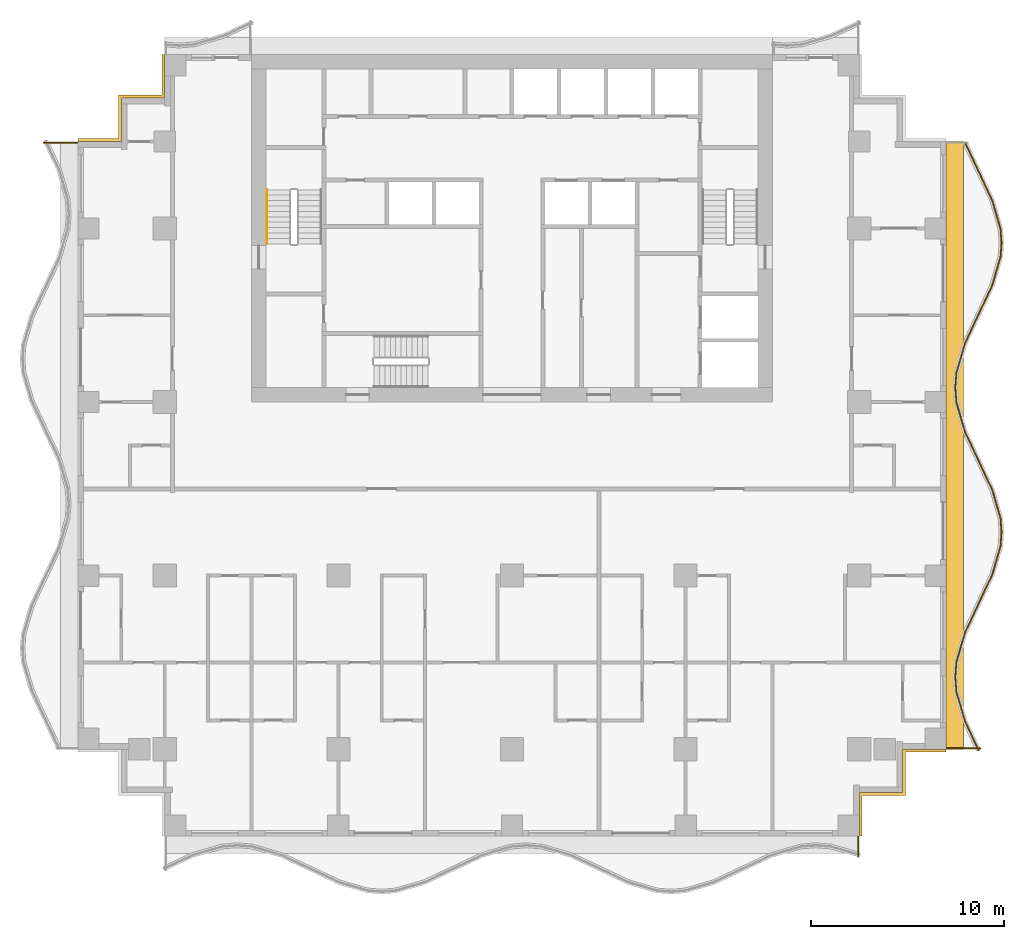
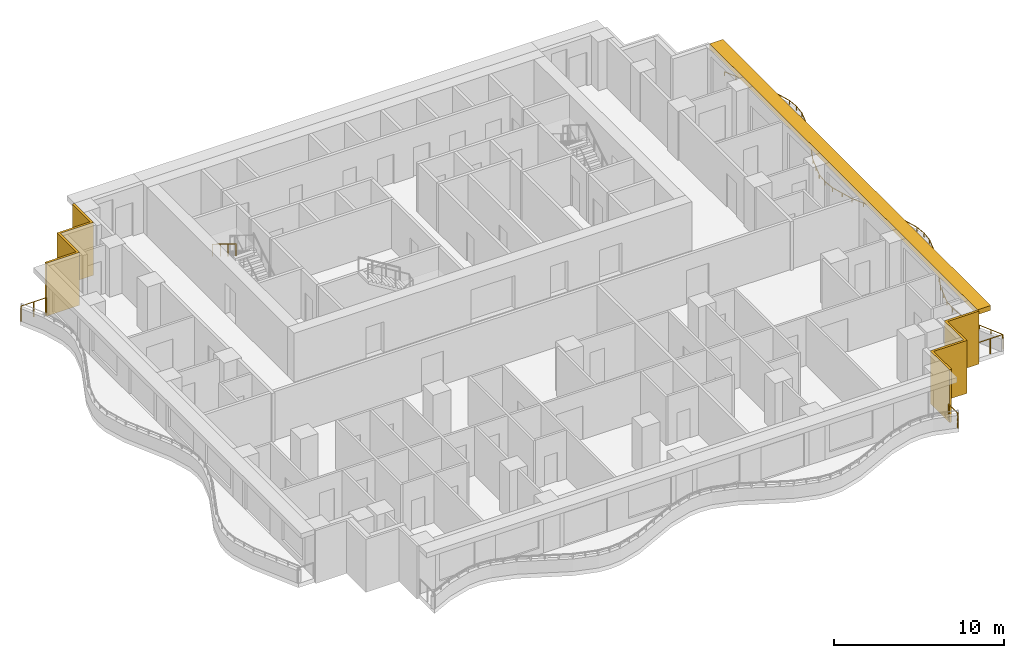
# One storey, part 9 of 10: 5 railings, 3 shading devices.
"""IFC4 building model written with IfcOpenShell, lengths in metres."""

from ifc_helpers import new_model, si_unit, direction, frame, origin, origin_2d, place, context, subcontext, project, spatial, polyline, rectangle, circle, outline, extrude, material, layer, layer_set, type_object, element, save


model = new_model("IFC4")

# Units and contexts
model_context = context("Model", 3, precision=1e-05, world=origin(), true_north=direction((0.0, 1.0)))
body_context = subcontext(model_context, "Body", "Model", "MODEL_VIEW")
ifc_project = project(units=[si_unit("LENGTHUNIT", "METRE"), si_unit("AREAUNIT", "SQUARE_METRE"), si_unit("VOLUMEUNIT", "CUBIC_METRE"), si_unit("PLANEANGLEUNIT", "RADIAN"), si_unit("MASSUNIT", "GRAM", prefix="KILO")], contexts=[model_context])

# Site, building, storey
site_placement = place(None, origin())
site = spatial("IfcSite", under=ifc_project, at=site_placement, CompositionType="ELEMENT")
building_placement = place(site_placement, origin())
building = spatial("IfcBuilding", under=site, at=building_placement, Name="Orbiselva Terraces", CompositionType="ELEMENT")
storey_placement = place(building_placement, frame((0.0, 0.0, 159.2)))
storey = spatial("IfcBuildingStorey", under=building, at=storey_placement, Name="L40", CompositionType="ELEMENT", Elevation=159.2)

# Railings
ifc_material_1 = material(Name="Stainless steel", Category="steel")
railing_type_1 = type_object("IfcRailingType", Name="CORE-HANDRAIL-900", PredefinedType="HANDRAIL", material=ifc_material_1)
railing_1_placement = place(storey_placement, frame((-12.7, 15.5, 2.072727)))
element("IfcRailing", 1, at=railing_1_placement, inside=storey, type_object=railing_type_1, Name="L40 S1 stair handrail 2", PredefinedType="HANDRAIL", context=body_context, shape_type="SweptSolid", body=[
    extrude(circle(Radius=0.024, at=origin_2d()), frame((0.0, 0.0, 0.876), z_axis=(0.0, -0.851088519012, 0.52502222125), x_axis=(1.0, 0.0, 0.0)), (0.0, 0.0, 1.0), 3.289905),
    extrude(circle(Radius=0.021, at=origin_2d()), origin(), (0.0, 0.0, 1.0), 0.852),
    extrude(circle(Radius=0.021, at=origin_2d()), frame((0.0, -0.933333, 0.575758)), (0.0, 0.0, 1.0), 0.852),
    extrude(circle(Radius=0.021, at=origin_2d()), frame((0.0, -1.866667, 1.151515)), (0.0, 0.0, 1.0), 0.852),
    extrude(circle(Radius=0.021, at=origin_2d()), frame((0.0, -2.8, 1.727273)), (0.0, 0.0, 1.0), 0.852),
])
ifc_material_2 = material(Name="Bonded two-ply safety glass balustrade, stainless steel posts", Category="steel")
railing_type_2 = type_object("IfcRailingType", Name="ENV-BALUSTRADE-1200", PredefinedType="BALUSTRADE", material=ifc_material_2)
railing_2_placement = place(storey_placement, frame((24.186882, -13.553191, 0.9)))
element("IfcRailing", 2, at=railing_2_placement, inside=storey, type_object=railing_type_2, Name="Balcony balustrade L40 E", PredefinedType="BALUSTRADE", context=body_context, shape_type="SweptSolid", body=[
    extrude(outline(polyline([(0.028868, 0.0), (0.014434, 0.025), (-0.014434, 0.025), (-0.028868, 0.0), (-0.014434, -0.025), (0.014434, -0.025), (0.028868, 0.0)])), frame((0.0, 0.0, 0.275), z_axis=(-0.425530342069, 0.904944157382, 0.0), x_axis=(-0.904944157382, -0.425530342069, 0.0)), (0.0, 0.0, 1.0), 1.667376),
    extrude(outline(polyline([(0.028868, 0.0), (0.014434, 0.025), (-0.014434, 0.025), (-0.028868, 0.0), (-0.014434, -0.025), (0.014434, -0.025), (0.028868, 0.0)])), frame((-0.709519, 1.508882, 0.275), z_axis=(-0.279070928786, 0.960270491427, 0.0), x_axis=(-0.960270491427, -0.279070928786, 0.0)), (0.0, 0.0, 1.0), 1.584712),
    extrude(outline(polyline([(0.028868, 0.0), (0.014434, 0.025), (-0.014434, 0.025), (-0.028868, 0.0), (-0.014434, -0.025), (0.014434, -0.025), (0.028868, 0.0)])), frame((-1.151766, 3.030634, 0.275), z_axis=(-0.078071061106, 0.996947796737, 0.0), x_axis=(-0.996947796737, -0.078071061106, 0.0)), (0.0, 0.0, 1.0), 0.774922),
    extrude(outline(polyline([(0.028868, 0.0), (0.014434, 0.025), (-0.014434, 0.025), (-0.028868, 0.0), (-0.014434, -0.025), (0.014434, -0.025), (0.028868, 0.0)])), frame((-1.212265, 3.803191, 0.275), z_axis=(0.078071061106, 0.996947796737, 0.0), x_axis=(-0.996947796737, 0.078071061106, 0.0)), (0.0, 0.0, 1.0), 0.774922),
    extrude(outline(polyline([(0.028868, 0.0), (0.014434, 0.025), (-0.014434, 0.025), (-0.028868, 0.0), (-0.014434, -0.025), (0.014434, -0.025), (0.028868, 0.0)])), frame((-1.151766, 4.575748, 0.275), z_axis=(0.279070928786, 0.960270491427, 0.0), x_axis=(-0.960270491427, 0.279070928786, 0.0)), (0.0, 0.0, 1.0), 1.584712),
    extrude(outline(polyline([(0.028868, 0.0), (0.014434, 0.025), (-0.014434, 0.025), (-0.028868, 0.0), (-0.014434, -0.025), (0.014434, -0.025), (0.028868, 0.0)])), frame((-0.709519, 6.0975, 0.275), z_axis=(0.425530342069, 0.904944157382, 0.0), x_axis=(-0.904944157382, 0.425530342069, 0.0)), (0.0, 0.0, 1.0), 1.667376),
    extrude(outline(polyline([(0.028868, 0.0), (0.014434, 0.025), (-0.014434, 0.025), (-0.028868, 0.0), (-0.014434, -0.025), (0.014434, -0.025), (0.028868, 0.0)])), frame((0.0, 7.606382, 0.275), z_axis=(0.425529912322, 0.904944359461, 0.0), x_axis=(-0.904944359461, 0.425529912322, 0.0)), (0.0, 0.0, 1.0), 1.647746),
    extrude(outline(polyline([(0.028868, 0.0), (0.014434, 0.025), (-0.014434, 0.025), (-0.028868, 0.0), (-0.014434, -0.025), (0.014434, -0.025), (0.028868, 0.0)])), frame((0.701165, 9.0975, 0.275), z_axis=(0.279071528957, 0.960270317007, 0.0), x_axis=(-0.960270317007, 0.279071528957, 0.0)), (0.0, 0.0, 1.0), 1.539408),
    extrude(outline(polyline([(0.028868, 0.0), (0.014434, 0.025), (-0.014434, 0.025), (-0.028868, 0.0), (-0.014434, -0.025), (0.014434, -0.025), (0.028868, 0.0)])), frame((1.13077, 10.575748, 0.275), z_axis=(0.078069536776, 0.996947916106, 0.0), x_axis=(-0.996947916106, 0.078069536776, 0.0)), (0.0, 0.0, 1.0), 0.72967),
    extrude(outline(polyline([(0.028868, 0.0), (0.014434, 0.025), (-0.014434, 0.025), (-0.028868, 0.0), (-0.014434, -0.025), (0.014434, -0.025), (0.028868, 0.0)])), frame((1.187735, 11.303191, 0.275), z_axis=(-0.078069536776, 0.996947916106, 0.0), x_axis=(-0.996947916106, -0.078069536776, 0.0)), (0.0, 0.0, 1.0), 0.72967),
    extrude(outline(polyline([(0.028868, 0.0), (0.014434, 0.025), (-0.014434, 0.025), (-0.028868, 0.0), (-0.014434, -0.025), (0.014434, -0.025), (0.028868, 0.0)])), frame((1.13077, 12.030634, 0.275), z_axis=(-0.279071528957, 0.960270317007, 0.0), x_axis=(-0.960270317007, -0.279071528957, 0.0)), (0.0, 0.0, 1.0), 1.539408),
    extrude(outline(polyline([(0.028868, 0.0), (0.014434, 0.025), (-0.014434, 0.025), (-0.028868, 0.0), (-0.014434, -0.025), (0.014434, -0.025), (0.028868, 0.0)])), frame((0.701165, 13.508882, 0.275), z_axis=(-0.425529912322, 0.904944359461, 0.0), x_axis=(-0.904944359461, -0.425529912322, 0.0)), (0.0, 0.0, 1.0), 1.647746),
    extrude(outline(polyline([(0.028868, 0.0), (0.014434, 0.025), (-0.014434, 0.025), (-0.028868, 0.0), (-0.014434, -0.025), (0.014434, -0.025), (0.028868, 0.0)])), frame((0.0, 15.0, 0.275), z_axis=(-0.425530342069, 0.904944157382, 0.0), x_axis=(-0.904944157382, -0.425530342069, 0.0)), (0.0, 0.0, 1.0), 1.667376),
    extrude(outline(polyline([(0.028868, 0.0), (0.014434, 0.025), (-0.014434, 0.025), (-0.028868, 0.0), (-0.014434, -0.025), (0.014434, -0.025), (0.028868, 0.0)])), frame((-0.709519, 16.508882, 0.275), z_axis=(-0.279070928786, 0.960270491427, 0.0), x_axis=(-0.960270491427, -0.279070928786, 0.0)), (0.0, 0.0, 1.0), 1.584712),
    extrude(outline(polyline([(0.028868, 0.0), (0.014434, 0.025), (-0.014434, 0.025), (-0.028868, 0.0), (-0.014434, -0.025), (0.014434, -0.025), (0.028868, 0.0)])), frame((-1.151766, 18.030634, 0.275), z_axis=(-0.078071061106, 0.996947796737, 0.0), x_axis=(-0.996947796737, -0.078071061106, 0.0)), (0.0, 0.0, 1.0), 0.774922),
    extrude(outline(polyline([(0.028868, 0.0), (0.014434, 0.025), (-0.014434, 0.025), (-0.028868, 0.0), (-0.014434, -0.025), (0.014434, -0.025), (0.028868, 0.0)])), frame((-1.212265, 18.803191, 0.275), z_axis=(0.078071061106, 0.996947796737, 0.0), x_axis=(-0.996947796737, 0.078071061106, 0.0)), (0.0, 0.0, 1.0), 0.774922),
    extrude(outline(polyline([(0.028868, 0.0), (0.014434, 0.025), (-0.014434, 0.025), (-0.028868, 0.0), (-0.014434, -0.025), (0.014434, -0.025), (0.028868, 0.0)])), frame((-1.151766, 19.575748, 0.275), z_axis=(0.279070928786, 0.960270491427, 0.0), x_axis=(-0.960270491427, 0.279070928786, 0.0)), (0.0, 0.0, 1.0), 1.584712),
    extrude(outline(polyline([(0.028868, 0.0), (0.014434, 0.025), (-0.014434, 0.025), (-0.028868, 0.0), (-0.014434, -0.025), (0.014434, -0.025), (0.028868, 0.0)])), frame((-0.709519, 21.0975, 0.275), z_axis=(0.425530342069, 0.904944157382, 0.0), x_axis=(-0.904944157382, 0.425530342069, 0.0)), (0.0, 0.0, 1.0), 1.667376),
    extrude(outline(polyline([(0.028868, 0.0), (0.014434, 0.025), (-0.014434, 0.025), (-0.028868, 0.0), (-0.014434, -0.025), (0.014434, -0.025), (0.028868, 0.0)])), frame((0.0, 22.606382, 0.275), z_axis=(0.425529912322, 0.904944359461, 0.0), x_axis=(-0.904944359461, 0.425529912322, 0.0)), (0.0, 0.0, 1.0), 1.647746),
    extrude(outline(polyline([(0.028868, 0.0), (0.014434, 0.025), (-0.014434, 0.025), (-0.028868, 0.0), (-0.014434, -0.025), (0.014434, -0.025), (0.028868, 0.0)])), frame((0.701165, 24.0975, 0.275), z_axis=(0.279071528957, 0.960270317007, 0.0), x_axis=(-0.960270317007, 0.279071528957, 0.0)), (0.0, 0.0, 1.0), 1.539408),
    extrude(outline(polyline([(0.028868, 0.0), (0.014434, 0.025), (-0.014434, 0.025), (-0.028868, 0.0), (-0.014434, -0.025), (0.014434, -0.025), (0.028868, 0.0)])), frame((1.13077, 25.575748, 0.275), z_axis=(0.078069536776, 0.996947916106, 0.0), x_axis=(-0.996947916106, 0.078069536776, 0.0)), (0.0, 0.0, 1.0), 0.72967),
    extrude(outline(polyline([(0.028868, 0.0), (0.014434, 0.025), (-0.014434, 0.025), (-0.028868, 0.0), (-0.014434, -0.025), (0.014434, -0.025), (0.028868, 0.0)])), frame((1.187735, 26.303191, 0.275), z_axis=(-0.078069536776, 0.996947916106, 0.0), x_axis=(-0.996947916106, -0.078069536776, 0.0)), (0.0, 0.0, 1.0), 0.72967),
    extrude(outline(polyline([(0.028868, 0.0), (0.014434, 0.025), (-0.014434, 0.025), (-0.028868, 0.0), (-0.014434, -0.025), (0.014434, -0.025), (0.028868, 0.0)])), frame((1.13077, 27.030634, 0.275), z_axis=(-0.279071528957, 0.960270317007, 0.0), x_axis=(-0.960270317007, -0.279071528957, 0.0)), (0.0, 0.0, 1.0), 1.539408),
    extrude(outline(polyline([(0.028868, 0.0), (0.014434, 0.025), (-0.014434, 0.025), (-0.028868, 0.0), (-0.014434, -0.025), (0.014434, -0.025), (0.028868, 0.0)])), frame((0.701165, 28.508882, 0.275), z_axis=(-0.425529912322, 0.904944359461, 0.0), x_axis=(-0.904944359461, -0.425529912322, 0.0)), (0.0, 0.0, 1.0), 1.647746),
    extrude(outline(polyline([(0.028868, 0.0), (0.014434, 0.025), (-0.014434, 0.025), (-0.028868, 0.0), (-0.014434, -0.025), (0.014434, -0.025), (0.028868, 0.0)])), frame((0.0, 30.0, 0.275), z_axis=(-0.425530128467, 0.904944257823, 0.0), x_axis=(-0.904944257823, -0.425530128467, 0.0)), (0.0, 0.0, 1.0), 1.657561),
    extrude(rectangle(XDim=0.05, YDim=0.05, at=origin_2d()), origin(), (0.0, 0.0, 1.0), 0.25),
    extrude(rectangle(XDim=0.05, YDim=0.05, at=origin_2d()), frame((-0.35476, 0.754441, 0.0)), (0.0, 0.0, 1.0), 0.25),
    extrude(rectangle(XDim=0.05, YDim=0.05, at=origin_2d()), frame((-0.709519, 1.508882, 0.0)), (0.0, 0.0, 1.0), 0.25),
    extrude(rectangle(XDim=0.05, YDim=0.05, at=origin_2d()), frame((-0.930643, 2.269758, 0.0)), (0.0, 0.0, 1.0), 0.25),
    extrude(rectangle(XDim=0.05, YDim=0.05, at=origin_2d()), frame((-1.151766, 3.030634, 0.0)), (0.0, 0.0, 1.0), 0.25),
    extrude(rectangle(XDim=0.05, YDim=0.05, at=origin_2d()), frame((-1.212265, 3.803191, 0.0)), (0.0, 0.0, 1.0), 0.25),
    extrude(rectangle(XDim=0.05, YDim=0.05, at=origin_2d()), frame((-1.151766, 4.575748, 0.0)), (0.0, 0.0, 1.0), 0.25),
    extrude(rectangle(XDim=0.05, YDim=0.05, at=origin_2d()), frame((-0.930643, 5.336624, 0.0)), (0.0, 0.0, 1.0), 0.25),
    extrude(rectangle(XDim=0.05, YDim=0.05, at=origin_2d()), frame((-0.709519, 6.0975, 0.0)), (0.0, 0.0, 1.0), 0.25),
    extrude(rectangle(XDim=0.05, YDim=0.05, at=origin_2d()), frame((-0.35476, 6.851941, 0.0)), (0.0, 0.0, 1.0), 0.25),
    extrude(rectangle(XDim=0.05, YDim=0.05, at=origin_2d()), frame((0.0, 7.606382, 0.0)), (0.0, 0.0, 1.0), 0.25),
    extrude(rectangle(XDim=0.05, YDim=0.05, at=origin_2d()), frame((0.350582, 8.351941, 0.0)), (0.0, 0.0, 1.0), 0.25),
    extrude(rectangle(XDim=0.05, YDim=0.05, at=origin_2d()), frame((0.701165, 9.0975, 0.0)), (0.0, 0.0, 1.0), 0.25),
    extrude(rectangle(XDim=0.05, YDim=0.05, at=origin_2d()), frame((0.915967, 9.836624, 0.0)), (0.0, 0.0, 1.0), 0.25),
    extrude(rectangle(XDim=0.05, YDim=0.05, at=origin_2d()), frame((1.13077, 10.575748, 0.0)), (0.0, 0.0, 1.0), 0.25),
    extrude(rectangle(XDim=0.05, YDim=0.05, at=origin_2d()), frame((1.187735, 11.303191, 0.0)), (0.0, 0.0, 1.0), 0.25),
    extrude(rectangle(XDim=0.05, YDim=0.05, at=origin_2d()), frame((1.13077, 12.030634, 0.0)), (0.0, 0.0, 1.0), 0.25),
    extrude(rectangle(XDim=0.05, YDim=0.05, at=origin_2d()), frame((0.915967, 12.769758, 0.0)), (0.0, 0.0, 1.0), 0.25),
    extrude(rectangle(XDim=0.05, YDim=0.05, at=origin_2d()), frame((0.701165, 13.508882, 0.0)), (0.0, 0.0, 1.0), 0.25),
    extrude(rectangle(XDim=0.05, YDim=0.05, at=origin_2d()), frame((0.350582, 14.254441, 0.0)), (0.0, 0.0, 1.0), 0.25),
    extrude(rectangle(XDim=0.05, YDim=0.05, at=origin_2d()), frame((0.0, 15.0, 0.0)), (0.0, 0.0, 1.0), 0.25),
    extrude(rectangle(XDim=0.05, YDim=0.05, at=origin_2d()), frame((-0.35476, 15.754441, 0.0)), (0.0, 0.0, 1.0), 0.25),
    extrude(rectangle(XDim=0.05, YDim=0.05, at=origin_2d()), frame((-0.709519, 16.508882, 0.0)), (0.0, 0.0, 1.0), 0.25),
    extrude(rectangle(XDim=0.05, YDim=0.05, at=origin_2d()), frame((-0.930643, 17.269758, 0.0)), (0.0, 0.0, 1.0), 0.25),
    extrude(rectangle(XDim=0.05, YDim=0.05, at=origin_2d()), frame((-1.151766, 18.030634, 0.0)), (0.0, 0.0, 1.0), 0.25),
    extrude(rectangle(XDim=0.05, YDim=0.05, at=origin_2d()), frame((-1.212265, 18.803191, 0.0)), (0.0, 0.0, 1.0), 0.25),
    extrude(rectangle(XDim=0.05, YDim=0.05, at=origin_2d()), frame((-1.151766, 19.575748, 0.0)), (0.0, 0.0, 1.0), 0.25),
    extrude(rectangle(XDim=0.05, YDim=0.05, at=origin_2d()), frame((-0.930643, 20.336624, 0.0)), (0.0, 0.0, 1.0), 0.25),
    extrude(rectangle(XDim=0.05, YDim=0.05, at=origin_2d()), frame((-0.709519, 21.0975, 0.0)), (0.0, 0.0, 1.0), 0.25),
    extrude(rectangle(XDim=0.05, YDim=0.05, at=origin_2d()), frame((-0.35476, 21.851941, 0.0)), (0.0, 0.0, 1.0), 0.25),
    extrude(rectangle(XDim=0.05, YDim=0.05, at=origin_2d()), frame((0.0, 22.606382, 0.0)), (0.0, 0.0, 1.0), 0.25),
    extrude(rectangle(XDim=0.05, YDim=0.05, at=origin_2d()), frame((0.350582, 23.351941, 0.0)), (0.0, 0.0, 1.0), 0.25),
    extrude(rectangle(XDim=0.05, YDim=0.05, at=origin_2d()), frame((0.701165, 24.0975, 0.0)), (0.0, 0.0, 1.0), 0.25),
    extrude(rectangle(XDim=0.05, YDim=0.05, at=origin_2d()), frame((0.915967, 24.836624, 0.0)), (0.0, 0.0, 1.0), 0.25),
    extrude(rectangle(XDim=0.05, YDim=0.05, at=origin_2d()), frame((1.13077, 25.575748, 0.0)), (0.0, 0.0, 1.0), 0.25),
    extrude(rectangle(XDim=0.05, YDim=0.05, at=origin_2d()), frame((1.187735, 26.303191, 0.0)), (0.0, 0.0, 1.0), 0.25),
    extrude(rectangle(XDim=0.05, YDim=0.05, at=origin_2d()), frame((1.13077, 27.030634, 0.0)), (0.0, 0.0, 1.0), 0.25),
    extrude(rectangle(XDim=0.05, YDim=0.05, at=origin_2d()), frame((0.915967, 27.769758, 0.0)), (0.0, 0.0, 1.0), 0.25),
    extrude(rectangle(XDim=0.05, YDim=0.05, at=origin_2d()), frame((0.701165, 28.508882, 0.0)), (0.0, 0.0, 1.0), 0.25),
    extrude(rectangle(XDim=0.05, YDim=0.05, at=origin_2d()), frame((0.350582, 29.254441, 0.0)), (0.0, 0.0, 1.0), 0.25),
    extrude(rectangle(XDim=0.05, YDim=0.05, at=origin_2d()), frame((0.0, 30.0, 0.0)), (0.0, 0.0, 1.0), 0.25),
    extrude(rectangle(XDim=0.05, YDim=0.05, at=origin_2d()), frame((-0.352671, 30.75, 0.0)), (0.0, 0.0, 1.0), 0.25),
    extrude(rectangle(XDim=0.05, YDim=0.05, at=origin_2d()), frame((-0.705342, 31.5, 0.0)), (0.0, 0.0, 1.0), 0.25),
])
ifc_material_3 = material(Name="Stainless steel rail and posts", Category="steel")
railing_type_3 = type_object("IfcRailingType", Name="ENV-GUARD-1105", PredefinedType="BALUSTRADE", material=ifc_material_3)
railing_3_placement = place(storey_placement, frame((17.94, -19.070484, 0.0)))
element("IfcRailing", 3, at=railing_3_placement, inside=storey, type_object=railing_type_3, Name="Balcony end guard L40 S", PredefinedType="BALUSTRADE", context=body_context, shape_type="SweptSolid", body=[
    extrude(outline(polyline([(0.028868, 0.0), (0.014434, 0.025), (-0.014434, 0.025), (-0.028868, 0.0), (-0.014434, -0.025), (0.014434, -0.025), (0.028868, 0.0)])), frame((0.0, 0.0, 1.08), z_axis=(0.0, 1.0, 0.0), x_axis=(-1.0, 0.0, 0.0)), (0.0, 0.0, 1.0), 1.045484),
    extrude(rectangle(XDim=0.05, YDim=0.05, at=origin_2d()), origin(), (0.0, 0.0, 1.0), 1.055),
    extrude(rectangle(XDim=0.05, YDim=0.05, at=origin_2d()), frame((0.0, 1.045484, 0.0)), (0.0, 0.0, 1.0), 1.055),
])
railing_4_placement = place(storey_placement, frame((24.269844, -13.44, 0.0)))
element("IfcRailing", 4, at=railing_4_placement, inside=storey, type_object=railing_type_3, Name="Balcony end guard L40 E", PredefinedType="BALUSTRADE", context=body_context, shape_type="SweptSolid", body=[
    extrude(outline(polyline([(0.028868, 0.0), (0.014434, 0.025), (-0.014434, 0.025), (-0.028868, 0.0), (-0.014434, -0.025), (0.014434, -0.025), (0.028868, 0.0)])), frame((0.0, 0.0, 1.08), z_axis=(-1.0, 0.0, 0.0), x_axis=(0.0, -1.0, 0.0)), (0.0, 0.0, 1.0), 1.744844),
    extrude(rectangle(XDim=0.05, YDim=0.05, at=origin_2d()), origin(), (0.0, 0.0, 1.0), 1.055),
    extrude(rectangle(XDim=0.05, YDim=0.05, at=origin_2d()), frame((-0.872422, 0.0, 0.0)), (0.0, 0.0, 1.0), 1.055),
    extrude(rectangle(XDim=0.05, YDim=0.05, at=origin_2d()), frame((-1.744844, 0.0, 0.0)), (0.0, 0.0, 1.0), 1.055),
])
railing_5_placement = place(storey_placement, frame((-24.269844, 17.94, 0.0)))
element("IfcRailing", 5, at=railing_5_placement, inside=storey, type_object=railing_type_3, Name="Balcony end guard L40 W", PredefinedType="BALUSTRADE", context=body_context, shape_type="SweptSolid", body=[
    extrude(outline(polyline([(0.028868, 0.0), (0.014434, 0.025), (-0.014434, 0.025), (-0.028868, 0.0), (-0.014434, -0.025), (0.014434, -0.025), (0.028868, 0.0)])), frame((0.0, 0.0, 1.08), z_axis=(1.0, 0.0, 0.0), x_axis=(0.0, 1.0, 0.0)), (0.0, 0.0, 1.0), 1.744844),
    extrude(rectangle(XDim=0.05, YDim=0.05, at=origin_2d()), origin(), (0.0, 0.0, 1.0), 1.055),
    extrude(rectangle(XDim=0.05, YDim=0.05, at=origin_2d()), frame((0.872422, 0.0, 0.0)), (0.0, 0.0, 1.0), 1.055),
    extrude(rectangle(XDim=0.05, YDim=0.05, at=origin_2d()), frame((1.744844, 0.0, 0.0)), (0.0, 0.0, 1.0), 1.055),
])

# Shading devices
ifc_material_4 = material(Name="Terracotta louvre screen", Category="masonry")
ifc_layer_1 = layer(ifc_material_4, 0.15)
ifc_layer_set_1 = layer_set([ifc_layer_1], Name="Terracotta louvre screen")
shading_device_type_1 = type_object("IfcShadingDeviceType", Name="ENV-SCREEN-150", PredefinedType="USERDEFINED", material=ifc_layer_set_1)
shading_device_1_placement = place(storey_placement, frame((0.0, 0.0, -0.3)))
element("IfcShadingDevice", 6, at=shading_device_1_placement, inside=storey, type_object=shading_device_type_1, Name="Louvre screen L40 NW", ObjectType="SCREEN", PredefinedType="USERDEFINED", context=body_context, shape_type="SweptSolid", body=[
    extrude(outline(polyline([(-18.15, 22.5), (-18.15, 20.4), (-20.4, 20.4), (-20.4, 18.15), (-22.5, 18.15), (-22.5, 18.0), (-20.25, 18.0), (-20.25, 20.25), (-18.0, 20.25), (-18.0, 22.5), (-18.15, 22.5)])), origin(), (0.0, 0.0, 1.0), 3.8),
])
shading_device_2_placement = place(storey_placement, frame((0.0, 0.0, -0.3)))
element("IfcShadingDevice", 7, at=shading_device_2_placement, inside=storey, type_object=shading_device_type_1, Name="Louvre screen L40 SE", ObjectType="SCREEN", PredefinedType="USERDEFINED", context=body_context, shape_type="SweptSolid", body=[
    extrude(outline(polyline([(18.15, -18.0), (18.15, -15.9), (20.4, -15.9), (20.4, -13.65), (22.5, -13.65), (22.5, -13.5), (20.25, -13.5), (20.25, -15.75), (18.0, -15.75), (18.0, -18.0), (18.15, -18.0)])), origin(), (0.0, 0.0, 1.0), 3.8),
])
ifc_material_5 = material(Name="Terracotta baguette sunshade", Category="masonry")
ifc_layer_2 = layer(ifc_material_5, 0.35)
ifc_layer_set_2 = layer_set([ifc_layer_2], Name="Terracotta baguette sunshade")
shading_device_type_2 = type_object("IfcShadingDeviceType", Name="ENV-SUNSHADE-900x350", PredefinedType="USERDEFINED", material=ifc_layer_set_2)
shading_device_3_placement = place(storey_placement, frame((0.0, 0.0, 3.15)))
element("IfcShadingDevice", 8, at=shading_device_3_placement, inside=storey, type_object=shading_device_type_2, Name="Sunshade band L40 E", ObjectType="SUNSHADE", PredefinedType="USERDEFINED", context=body_context, shape_type="SweptSolid", body=[
    extrude(outline(polyline([(23.4, -13.5), (23.4, 18.0), (22.5, 18.0), (22.5, -13.5), (23.4, -13.5)])), origin(), (0.0, 0.0, 1.0), 0.35),
])

save(model, "model.ifc")
